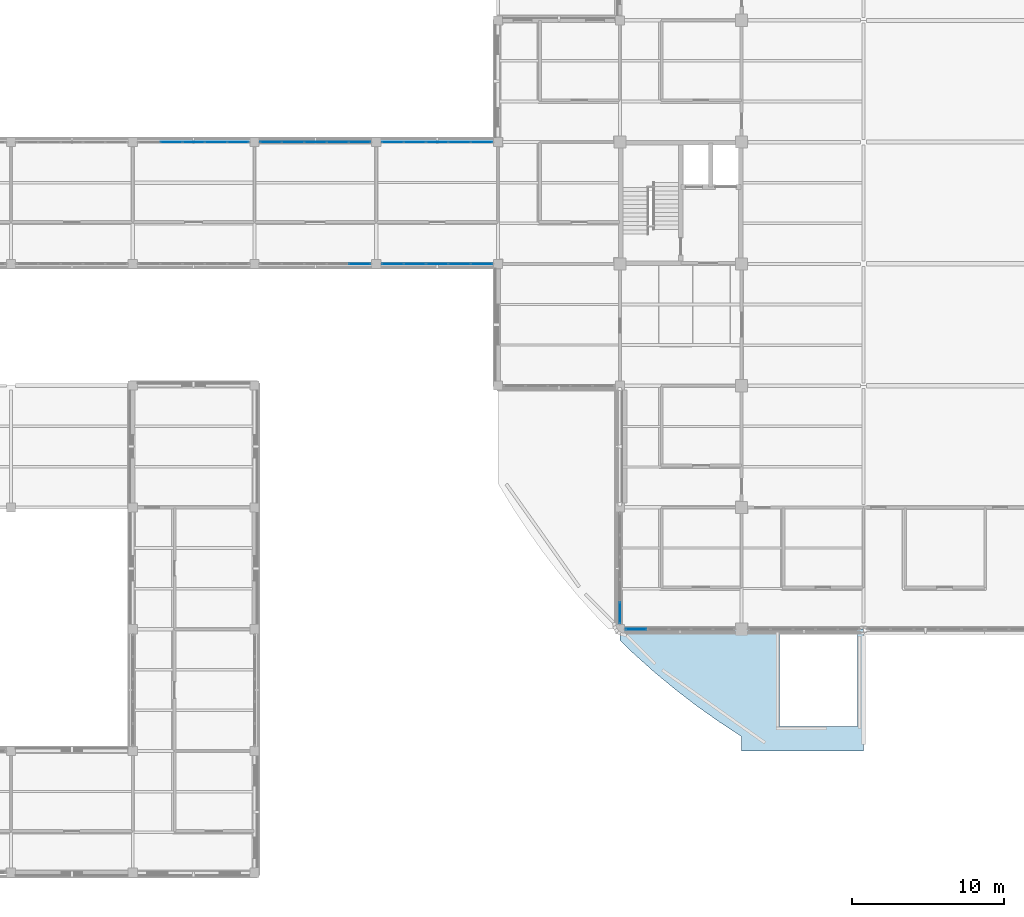
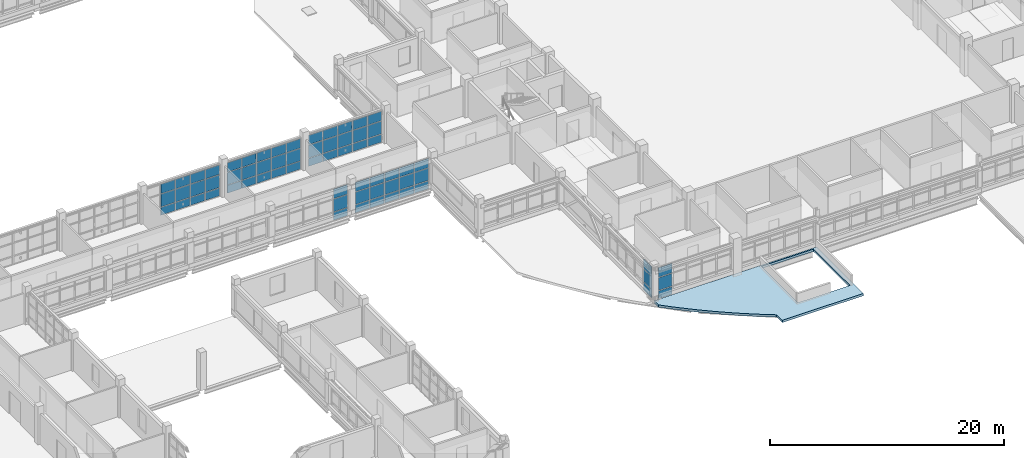
# One storey, part 69 of 126: 66 plates, 1 slab, 7 elements without a shape of their own.
"""IFC4 building model written with IfcOpenShell, lengths in metres."""

from ifc_helpers import new_model, si_unit, derived_unit, direction, frame, origin, origin_2d, place, context, subcontext, project, spatial, polyline, rectangle, outline, extrude, material, layer, layer_set, type_object, element, aggregate, save


model = new_model("IFC4")

# Units and contexts
model_context = context("Model", 3, precision=1e-05, world=origin(), true_north=direction((0.0, 1.0)))
body_context = subcontext(model_context, "Body", "Model", "MODEL_VIEW")
ifc_project = project(units=[si_unit("LENGTHUNIT", "METRE"), si_unit("AREAUNIT", "SQUARE_METRE"), si_unit("VOLUMEUNIT", "CUBIC_METRE"), si_unit("PLANEANGLEUNIT", "RADIAN"), si_unit("MASSUNIT", "GRAM", prefix="KILO"), derived_unit("THERMALTRANSMITTANCEUNIT", [(si_unit("MASSUNIT", "GRAM", prefix="KILO"), 1), (si_unit("TIMEUNIT", "SECOND"), -3), (si_unit("THERMODYNAMICTEMPERATUREUNIT", "KELVIN"), -1)])], contexts=[model_context])

# Site, building, storey
site_placement = place(None, origin())
site = spatial("IfcSite", under=ifc_project, at=site_placement, CompositionType="ELEMENT")
building_placement = place(site_placement, origin())
building = spatial("IfcBuilding", under=site, at=building_placement, Name="Veyamyaing Civic Hall", CompositionType="ELEMENT")
storey_placement = place(building_placement, frame((0.0, 0.0, 9.89990234375)))
storey = spatial("IfcBuildingStorey", under=building, at=storey_placement, Name="L02", CompositionType="ELEMENT", Elevation=9.89990234375)

# Curtain wall, plates
ifc_material_1 = material(Name="Anodised aluminium 6063-T6", Category="aluminium")
ifc_layer_1 = layer(ifc_material_1, 0.139892578125, Name="Anodised aluminium 6063-T6")
ifc_layer_set_1 = layer_set([ifc_layer_1], Name="Anodised aluminium 6063-T6")
curtain_wall_type_1 = type_object("IfcCurtainWallType", Name="CW-04", PredefinedType="NOTDEFINED", material=ifc_layer_set_1)
curtain_wall_1_placement = place(storey_placement, origin())
curtain_wall_1 = element("IfcCurtainWall", 1, at=curtain_wall_1_placement, inside=storey, type_object=curtain_wall_type_1, Name="Unitized curtain wall CW-04 L02 N 5.7", PredefinedType="NOTDEFINED")
ifc_material_2 = material(Name="Low-E insulated glass", Category="glass")
ifc_layer_2 = layer(ifc_material_2, 0.031982421875, Name="Low-E insulated glass")
ifc_layer_set_2 = layer_set([ifc_layer_2], Name="Low-E insulated glass")
plate_type_1 = type_object("IfcPlateType", Name="CWP-02", PredefinedType="CURTAIN_PANEL", material=ifc_layer_set_2)
plate_1_placement = place(storey_placement, frame((34.531982421875, 56.0, 0.06005859375), z_axis=(0.0, 0.0, 1.0), x_axis=(1.0, 0.0, 0.0)))
plate_1 = element("IfcPlate", 2, at=plate_1_placement, type_object=plate_type_1, Name="CW-04 panel 2.1", PredefinedType="CURTAIN_PANEL", context=body_context, shape_type="SweptSolid", body=[
    extrude(rectangle(XDim=1.407958984375, YDim=0.031982421875, at=origin_2d()), origin(), (0.0, 0.0, 1.0), 0.81005859375),
])
plate_2_placement = place(storey_placement, frame((34.531982421875, 56.0, 0.93017578125), z_axis=(0.0, 0.0, 1.0), x_axis=(1.0, 0.0, 0.0)))
plate_2 = element("IfcPlate", 3, at=plate_2_placement, type_object=plate_type_1, Name="CW-04 panel 2.2", PredefinedType="CURTAIN_PANEL", context=body_context, shape_type="SweptSolid", body=[
    extrude(rectangle(XDim=1.407958984375, YDim=0.031982421875, at=origin_2d()), origin(), (0.0, 0.0, 1.0), 1.31396484375),
])
plate_3_placement = place(storey_placement, frame((34.531982421875, 56.0, 2.303955078125), z_axis=(0.0, 0.0, 1.0), x_axis=(1.0, 0.0, 0.0)))
plate_3 = element("IfcPlate", 4, at=plate_3_placement, type_object=plate_type_1, Name="CW-04 panel 2.3", PredefinedType="CURTAIN_PANEL", context=body_context, shape_type="SweptSolid", body=[
    extrude(rectangle(XDim=1.407958984375, YDim=0.031982421875, at=origin_2d()), origin(), (0.0, 0.0, 1.0), 0.97998046875),
])
plate_4_placement = place(storey_placement, frame((36.0, 56.0, 0.06005859375), z_axis=(0.0, 0.0, 1.0), x_axis=(1.0, 0.0, 0.0)))
plate_4 = element("IfcPlate", 5, at=plate_4_placement, type_object=plate_type_1, Name="CW-04 panel 3.1", PredefinedType="CURTAIN_PANEL", context=body_context, shape_type="SweptSolid", body=[
    extrude(rectangle(XDim=1.407958984375, YDim=0.031982421875, at=origin_2d()), origin(), (0.0, 0.0, 1.0), 0.81005859375),
])
plate_5_placement = place(storey_placement, frame((36.0, 56.0, 0.93017578125), z_axis=(0.0, 0.0, 1.0), x_axis=(1.0, 0.0, 0.0)))
plate_5 = element("IfcPlate", 6, at=plate_5_placement, type_object=plate_type_1, Name="CW-04 panel 3.2", PredefinedType="CURTAIN_PANEL", context=body_context, shape_type="SweptSolid", body=[
    extrude(rectangle(XDim=1.407958984375, YDim=0.031982421875, at=origin_2d()), origin(), (0.0, 0.0, 1.0), 1.31396484375),
])
plate_6_placement = place(storey_placement, frame((36.0, 56.0, 2.303955078125), z_axis=(0.0, 0.0, 1.0), x_axis=(1.0, 0.0, 0.0)))
plate_6 = element("IfcPlate", 7, at=plate_6_placement, type_object=plate_type_1, Name="CW-04 panel 3.3", PredefinedType="CURTAIN_PANEL", context=body_context, shape_type="SweptSolid", body=[
    extrude(rectangle(XDim=1.407958984375, YDim=0.031982421875, at=origin_2d()), origin(), (0.0, 0.0, 1.0), 0.97998046875),
])
plate_7_placement = place(storey_placement, frame((37.468017578125, 56.0, 0.06005859375), z_axis=(0.0, 0.0, 1.0), x_axis=(1.0, 0.0, 0.0)))
plate_7 = element("IfcPlate", 8, at=plate_7_placement, type_object=plate_type_1, Name="CW-04 panel 4.1", PredefinedType="CURTAIN_PANEL", context=body_context, shape_type="SweptSolid", body=[
    extrude(rectangle(XDim=1.407958984375, YDim=0.031982421875, at=origin_2d()), origin(), (0.0, 0.0, 1.0), 0.81005859375),
])
plate_8_placement = place(storey_placement, frame((37.468017578125, 56.0, 0.93017578125), z_axis=(0.0, 0.0, 1.0), x_axis=(1.0, 0.0, 0.0)))
plate_8 = element("IfcPlate", 9, at=plate_8_placement, type_object=plate_type_1, Name="CW-04 panel 4.2", PredefinedType="CURTAIN_PANEL", context=body_context, shape_type="SweptSolid", body=[
    extrude(rectangle(XDim=1.407958984375, YDim=0.031982421875, at=origin_2d()), origin(), (0.0, 0.0, 1.0), 1.31396484375),
])
plate_9_placement = place(storey_placement, frame((37.468017578125, 56.0, 2.303955078125), z_axis=(0.0, 0.0, 1.0), x_axis=(1.0, 0.0, 0.0)))
plate_9 = element("IfcPlate", 10, at=plate_9_placement, type_object=plate_type_1, Name="CW-04 panel 4.3", PredefinedType="CURTAIN_PANEL", context=body_context, shape_type="SweptSolid", body=[
    extrude(rectangle(XDim=1.407958984375, YDim=0.031982421875, at=origin_2d()), origin(), (0.0, 0.0, 1.0), 0.97998046875),
])
plate_10_placement = place(storey_placement, frame((38.9208984375, 56.0, 0.06005859375), z_axis=(0.0, 0.0, 1.0), x_axis=(1.0, 0.0, 0.0)))
plate_10 = element("IfcPlate", 11, at=plate_10_placement, type_object=plate_type_1, Name="CW-04 panel 5.1", PredefinedType="CURTAIN_PANEL", context=body_context, shape_type="SweptSolid", body=[
    extrude(rectangle(XDim=1.3779296875, YDim=0.031982421875, at=origin_2d()), origin(), (0.0, 0.0, 1.0), 0.81005859375),
])
plate_11_placement = place(storey_placement, frame((38.9208984375, 56.0, 0.93017578125), z_axis=(0.0, 0.0, 1.0), x_axis=(1.0, 0.0, 0.0)))
plate_11 = element("IfcPlate", 12, at=plate_11_placement, type_object=plate_type_1, Name="CW-04 panel 5.2", PredefinedType="CURTAIN_PANEL", context=body_context, shape_type="SweptSolid", body=[
    extrude(rectangle(XDim=1.3779296875, YDim=0.031982421875, at=origin_2d()), origin(), (0.0, 0.0, 1.0), 1.31396484375),
])
plate_12_placement = place(storey_placement, frame((38.9208984375, 56.0, 2.303955078125), z_axis=(0.0, 0.0, 1.0), x_axis=(1.0, 0.0, 0.0)))
plate_12 = element("IfcPlate", 13, at=plate_12_placement, type_object=plate_type_1, Name="CW-04 panel 5.3", PredefinedType="CURTAIN_PANEL", context=body_context, shape_type="SweptSolid", body=[
    extrude(rectangle(XDim=1.3779296875, YDim=0.031982421875, at=origin_2d()), origin(), (0.0, 0.0, 1.0), 0.97998046875),
])
aggregate(curtain_wall_1, [plate_1, plate_2, plate_3, plate_4, plate_5, plate_6, plate_7, plate_8, plate_9, plate_10, plate_11, plate_12])

curtain_wall_2_placement = place(storey_placement, origin())
curtain_wall_2 = element("IfcCurtainWall", 14, at=curtain_wall_2_placement, inside=storey, type_object=curtain_wall_type_1, Name="Unitized curtain wall CW-04 L02 S 6.7", PredefinedType="NOTDEFINED")
ifc_layer_3 = layer(ifc_material_2, 0.035888671875, Name="Low-E insulated glass")
ifc_layer_set_3 = layer_set([ifc_layer_3], Name="Low-E insulated glass")
plate_type_2 = type_object("IfcPlateType", Name="CWP-03", PredefinedType="CURTAIN_PANEL", material=ifc_layer_set_3)
plate_13_placement = place(storey_placement, frame((46.9208984375, 48.0, 0.06005859375), z_axis=(0.0, 0.0, 1.0), x_axis=(1.0, 0.0, 0.0)))
plate_13 = element("IfcPlate", 15, at=plate_13_placement, type_object=plate_type_2, Name="CW-04 panel 5.1", PredefinedType="CURTAIN_PANEL", context=body_context, shape_type="SweptSolid", body=[
    extrude(rectangle(XDim=1.3779296875, YDim=0.035888671875, at=origin_2d()), origin(), (0.0, 0.0, 1.0), 0.81005859375),
])
plate_14_placement = place(storey_placement, frame((46.9208984375, 48.0, 0.93017578125), z_axis=(0.0, 0.0, 1.0), x_axis=(1.0, 0.0, 0.0)))
plate_14 = element("IfcPlate", 16, at=plate_14_placement, type_object=plate_type_2, Name="CW-04 panel 5.2", PredefinedType="CURTAIN_PANEL", context=body_context, shape_type="SweptSolid", body=[
    extrude(rectangle(XDim=1.3779296875, YDim=0.035888671875, at=origin_2d()), origin(), (0.0, 0.0, 1.0), 1.31396484375),
])
plate_15_placement = place(storey_placement, frame((46.9208984375, 48.0, 2.303955078125), z_axis=(0.0, 0.0, 1.0), x_axis=(1.0, 0.0, 0.0)))
plate_15 = element("IfcPlate", 17, at=plate_15_placement, type_object=plate_type_2, Name="CW-04 panel 5.3", PredefinedType="CURTAIN_PANEL", context=body_context, shape_type="SweptSolid", body=[
    extrude(rectangle(XDim=1.3779296875, YDim=0.035888671875, at=origin_2d()), origin(), (0.0, 0.0, 1.0), 0.97998046875),
])
aggregate(curtain_wall_2, [plate_13, plate_14, plate_15])

curtain_wall_3_placement = place(storey_placement, origin())
curtain_wall_3 = element("IfcCurtainWall", 18, at=curtain_wall_3_placement, inside=storey, type_object=curtain_wall_type_1, Name="Unitized curtain wall CW-04 L02 N 6.7", PredefinedType="NOTDEFINED")
plate_16_placement = place(storey_placement, frame((41.0791015625, 56.0, 0.06005859375), z_axis=(0.0, 0.0, 1.0), x_axis=(1.0, 0.0, 0.0)))
plate_16 = element("IfcPlate", 19, at=plate_16_placement, type_object=plate_type_2, Name="CW-04 panel 1.1", PredefinedType="CURTAIN_PANEL", context=body_context, shape_type="SweptSolid", body=[
    extrude(rectangle(XDim=1.3779296875, YDim=0.035888671875, at=origin_2d()), origin(), (0.0, 0.0, 1.0), 0.81005859375),
])
plate_17_placement = place(storey_placement, frame((41.0791015625, 56.0, 0.93017578125), z_axis=(0.0, 0.0, 1.0), x_axis=(1.0, 0.0, 0.0)))
plate_17 = element("IfcPlate", 20, at=plate_17_placement, type_object=plate_type_2, Name="CW-04 panel 1.2", PredefinedType="CURTAIN_PANEL", context=body_context, shape_type="SweptSolid", body=[
    extrude(rectangle(XDim=1.3779296875, YDim=0.035888671875, at=origin_2d()), origin(), (0.0, 0.0, 1.0), 1.273193359375),
])
plate_18_placement = place(storey_placement, frame((41.0791015625, 56.0, 2.26318359375), z_axis=(0.0, 0.0, 1.0), x_axis=(1.0, 0.0, 0.0)))
plate_18 = element("IfcPlate", 21, at=plate_18_placement, type_object=plate_type_2, Name="CW-04 panel 1.3", PredefinedType="CURTAIN_PANEL", context=body_context, shape_type="SweptSolid", body=[
    extrude(rectangle(XDim=1.3779296875, YDim=0.035888671875, at=origin_2d()), origin(), (0.0, 0.0, 1.0), 0.9609375),
])
plate_19_placement = place(storey_placement, frame((42.531982421875, 56.0, 0.06005859375), z_axis=(0.0, 0.0, 1.0), x_axis=(1.0, 0.0, 0.0)))
plate_19 = element("IfcPlate", 22, at=plate_19_placement, type_object=plate_type_2, Name="CW-04 panel 2.1", PredefinedType="CURTAIN_PANEL", context=body_context, shape_type="SweptSolid", body=[
    extrude(rectangle(XDim=1.407958984375, YDim=0.035888671875, at=origin_2d()), origin(), (0.0, 0.0, 1.0), 0.81005859375),
])
plate_20_placement = place(storey_placement, frame((42.531982421875, 56.0, 0.93017578125), z_axis=(0.0, 0.0, 1.0), x_axis=(1.0, 0.0, 0.0)))
plate_20 = element("IfcPlate", 23, at=plate_20_placement, type_object=plate_type_2, Name="CW-04 panel 2.2", PredefinedType="CURTAIN_PANEL", context=body_context, shape_type="SweptSolid", body=[
    extrude(rectangle(XDim=1.407958984375, YDim=0.035888671875, at=origin_2d()), origin(), (0.0, 0.0, 1.0), 1.273193359375),
])
plate_21_placement = place(storey_placement, frame((42.531982421875, 56.0, 2.26318359375), z_axis=(0.0, 0.0, 1.0), x_axis=(1.0, 0.0, 0.0)))
plate_21 = element("IfcPlate", 24, at=plate_21_placement, type_object=plate_type_2, Name="CW-04 panel 2.3", PredefinedType="CURTAIN_PANEL", context=body_context, shape_type="SweptSolid", body=[
    extrude(rectangle(XDim=1.407958984375, YDim=0.035888671875, at=origin_2d()), origin(), (0.0, 0.0, 1.0), 0.9609375),
])
plate_22_placement = place(storey_placement, frame((44.0, 56.0, 0.06005859375), z_axis=(0.0, 0.0, 1.0), x_axis=(1.0, 0.0, 0.0)))
plate_22 = element("IfcPlate", 25, at=plate_22_placement, type_object=plate_type_2, Name="CW-04 panel 3.1", PredefinedType="CURTAIN_PANEL", context=body_context, shape_type="SweptSolid", body=[
    extrude(rectangle(XDim=1.407958984375, YDim=0.035888671875, at=origin_2d()), origin(), (0.0, 0.0, 1.0), 0.81005859375),
])
plate_23_placement = place(storey_placement, frame((44.0, 56.0, 0.93017578125), z_axis=(0.0, 0.0, 1.0), x_axis=(1.0, 0.0, 0.0)))
plate_23 = element("IfcPlate", 26, at=plate_23_placement, type_object=plate_type_2, Name="CW-04 panel 3.2", PredefinedType="CURTAIN_PANEL", context=body_context, shape_type="SweptSolid", body=[
    extrude(rectangle(XDim=1.407958984375, YDim=0.035888671875, at=origin_2d()), origin(), (0.0, 0.0, 1.0), 1.273193359375),
])
plate_24_placement = place(storey_placement, frame((44.0, 56.0, 2.26318359375), z_axis=(0.0, 0.0, 1.0), x_axis=(1.0, 0.0, 0.0)))
plate_24 = element("IfcPlate", 27, at=plate_24_placement, type_object=plate_type_2, Name="CW-04 panel 3.3", PredefinedType="CURTAIN_PANEL", context=body_context, shape_type="SweptSolid", body=[
    extrude(rectangle(XDim=1.407958984375, YDim=0.035888671875, at=origin_2d()), origin(), (0.0, 0.0, 1.0), 0.9609375),
])
plate_25_placement = place(storey_placement, frame((45.468017578125, 56.0, 0.06005859375), z_axis=(0.0, 0.0, 1.0), x_axis=(1.0, 0.0, 0.0)))
plate_25 = element("IfcPlate", 28, at=plate_25_placement, type_object=plate_type_2, Name="CW-04 panel 4.1", PredefinedType="CURTAIN_PANEL", context=body_context, shape_type="SweptSolid", body=[
    extrude(rectangle(XDim=1.407958984375, YDim=0.035888671875, at=origin_2d()), origin(), (0.0, 0.0, 1.0), 0.81005859375),
])
plate_26_placement = place(storey_placement, frame((45.468017578125, 56.0, 0.93017578125), z_axis=(0.0, 0.0, 1.0), x_axis=(1.0, 0.0, 0.0)))
plate_26 = element("IfcPlate", 29, at=plate_26_placement, type_object=plate_type_2, Name="CW-04 panel 4.2", PredefinedType="CURTAIN_PANEL", context=body_context, shape_type="SweptSolid", body=[
    extrude(rectangle(XDim=1.407958984375, YDim=0.035888671875, at=origin_2d()), origin(), (0.0, 0.0, 1.0), 1.273193359375),
])
plate_27_placement = place(storey_placement, frame((45.468017578125, 56.0, 2.26318359375), z_axis=(0.0, 0.0, 1.0), x_axis=(1.0, 0.0, 0.0)))
plate_27 = element("IfcPlate", 30, at=plate_27_placement, type_object=plate_type_2, Name="CW-04 panel 4.3", PredefinedType="CURTAIN_PANEL", context=body_context, shape_type="SweptSolid", body=[
    extrude(rectangle(XDim=1.407958984375, YDim=0.035888671875, at=origin_2d()), origin(), (0.0, 0.0, 1.0), 0.9609375),
])
plate_28_placement = place(storey_placement, frame((46.9208984375, 56.0, 0.06005859375), z_axis=(0.0, 0.0, 1.0), x_axis=(1.0, 0.0, 0.0)))
plate_28 = element("IfcPlate", 31, at=plate_28_placement, type_object=plate_type_2, Name="CW-04 panel 5.1", PredefinedType="CURTAIN_PANEL", context=body_context, shape_type="SweptSolid", body=[
    extrude(rectangle(XDim=1.3779296875, YDim=0.035888671875, at=origin_2d()), origin(), (0.0, 0.0, 1.0), 0.81005859375),
])
plate_29_placement = place(storey_placement, frame((46.9208984375, 56.0, 0.93017578125), z_axis=(0.0, 0.0, 1.0), x_axis=(1.0, 0.0, 0.0)))
plate_29 = element("IfcPlate", 32, at=plate_29_placement, type_object=plate_type_2, Name="CW-04 panel 5.2", PredefinedType="CURTAIN_PANEL", context=body_context, shape_type="SweptSolid", body=[
    extrude(rectangle(XDim=1.3779296875, YDim=0.035888671875, at=origin_2d()), origin(), (0.0, 0.0, 1.0), 1.273193359375),
])
plate_30_placement = place(storey_placement, frame((46.9208984375, 56.0, 2.26318359375), z_axis=(0.0, 0.0, 1.0), x_axis=(1.0, 0.0, 0.0)))
plate_30 = element("IfcPlate", 33, at=plate_30_placement, type_object=plate_type_2, Name="CW-04 panel 5.3", PredefinedType="CURTAIN_PANEL", context=body_context, shape_type="SweptSolid", body=[
    extrude(rectangle(XDim=1.3779296875, YDim=0.035888671875, at=origin_2d()), origin(), (0.0, 0.0, 1.0), 0.9609375),
])
aggregate(curtain_wall_3, [plate_16, plate_17, plate_18, plate_19, plate_20, plate_21, plate_22, plate_23, plate_24, plate_25, plate_26, plate_27, plate_28, plate_29, plate_30])

ifc_layer_4 = layer(ifc_material_1, 0.159912109375, Name="Anodised aluminium 6063-T6")
ifc_layer_set_4 = layer_set([ifc_layer_4], Name="Anodised aluminium 6063-T6")
curtain_wall_type_2 = type_object("IfcCurtainWallType", Name="CW-03", PredefinedType="NOTDEFINED", material=ifc_layer_set_4)
curtain_wall_4_placement = place(storey_placement, origin())
curtain_wall_4 = element("IfcCurtainWall", 34, at=curtain_wall_4_placement, inside=storey, type_object=curtain_wall_type_2, Name="Unitized curtain wall CW-03 L02 S 9.4", PredefinedType="NOTDEFINED")
plate_31_placement = place(storey_placement, frame((65.0703125, 24.0, 0.06494140625), z_axis=(0.0, 0.0, 1.0), x_axis=(1.0, 0.0, 0.0)))
plate_31 = element("IfcPlate", 35, at=plate_31_placement, type_object=plate_type_2, Name="CW-03 panel 1.1", PredefinedType="CURTAIN_PANEL", context=body_context, shape_type="SweptSolid", body=[
    extrude(rectangle(XDim=1.3505859375, YDim=0.035888671875, at=origin_2d()), origin(), (0.0, 0.0, 1.0), 0.802490234375),
])
plate_32_placement = place(storey_placement, frame((65.0703125, 24.0, 0.9326171875), z_axis=(0.0, 0.0, 1.0), x_axis=(1.0, 0.0, 0.0)))
plate_32 = element("IfcPlate", 36, at=plate_32_placement, type_object=plate_type_2, Name="CW-03 panel 1.2", PredefinedType="CURTAIN_PANEL", context=body_context, shape_type="SweptSolid", body=[
    extrude(rectangle(XDim=1.3505859375, YDim=0.035888671875, at=origin_2d()), origin(), (0.0, 0.0, 1.0), 1.308837890625),
])
plate_33_placement = place(storey_placement, frame((65.0703125, 24.0, 2.306396484375), z_axis=(0.0, 0.0, 1.0), x_axis=(1.0, 0.0, 0.0)))
plate_33 = element("IfcPlate", 37, at=plate_33_placement, type_object=plate_type_2, Name="CW-03 panel 1.3", PredefinedType="CURTAIN_PANEL", context=body_context, shape_type="SweptSolid", body=[
    extrude(rectangle(XDim=1.3505859375, YDim=0.035888671875, at=origin_2d()), origin(), (0.0, 0.0, 1.0), 0.97265625),
])
aggregate(curtain_wall_4, [plate_31, plate_32, plate_33])

curtain_wall_5_placement = place(storey_placement, origin())
curtain_wall_5 = element("IfcCurtainWall", 38, at=curtain_wall_5_placement, inside=storey, type_object=curtain_wall_type_2, Name="Unitized curtain wall CW-03 L02 W 9.4", PredefinedType="NOTDEFINED")
plate_34_placement = place(storey_placement, frame((64.0, 25.080322265625, 0.06494140625), z_axis=(0.0, 0.0, 1.0), x_axis=(0.0, 1.0, 0.0)))
plate_34 = element("IfcPlate", 39, at=plate_34_placement, type_object=plate_type_2, Name="CW-03 panel 1.1", PredefinedType="CURTAIN_PANEL", context=body_context, shape_type="SweptSolid", body=[
    extrude(rectangle(XDim=1.37060546875, YDim=0.035888671875, at=origin_2d()), origin(), (0.0, 0.0, 1.0), 0.802490234375),
])
plate_35_placement = place(storey_placement, frame((64.0, 25.080322265625, 0.9326171875), z_axis=(0.0, 0.0, 1.0), x_axis=(0.0, 1.0, 0.0)))
plate_35 = element("IfcPlate", 40, at=plate_35_placement, type_object=plate_type_2, Name="CW-03 panel 1.2", PredefinedType="CURTAIN_PANEL", context=body_context, shape_type="SweptSolid", body=[
    extrude(rectangle(XDim=1.37060546875, YDim=0.035888671875, at=origin_2d()), origin(), (0.0, 0.0, 1.0), 1.308837890625),
])
plate_36_placement = place(storey_placement, frame((64.0, 25.080322265625, 2.306396484375), z_axis=(0.0, 0.0, 1.0), x_axis=(0.0, 1.0, 0.0)))
plate_36 = element("IfcPlate", 41, at=plate_36_placement, type_object=plate_type_2, Name="CW-03 panel 1.3", PredefinedType="CURTAIN_PANEL", context=body_context, shape_type="SweptSolid", body=[
    extrude(rectangle(XDim=1.37060546875, YDim=0.035888671875, at=origin_2d()), origin(), (0.0, 0.0, 1.0), 0.97265625),
])
aggregate(curtain_wall_5, [plate_34, plate_35, plate_36])

curtain_wall_6_placement = place(storey_placement, origin())
curtain_wall_6 = element("IfcCurtainWall", 42, at=curtain_wall_6_placement, inside=storey, type_object=curtain_wall_type_1, Name="Unitized curtain wall CW-04 L02 S 7.7", PredefinedType="NOTDEFINED")
ifc_layer_5 = layer(ifc_material_2, 0.02392578125, Name="Low-E insulated glass")
ifc_layer_set_5 = layer_set([ifc_layer_5], Name="Low-E insulated glass")
plate_type_3 = type_object("IfcPlateType", Name="CWP-04", PredefinedType="CURTAIN_PANEL", material=ifc_layer_set_5)
plate_37_placement = place(storey_placement, frame((49.0791015625, 48.0, 0.06005859375), z_axis=(0.0, 0.0, 1.0), x_axis=(1.0, 0.0, 0.0)))
plate_37 = element("IfcPlate", 43, at=plate_37_placement, type_object=plate_type_3, Name="CW-04 panel 1.1", PredefinedType="CURTAIN_PANEL", context=body_context, shape_type="SweptSolid", body=[
    extrude(rectangle(XDim=1.3779296875, YDim=0.02392578125, at=origin_2d()), origin(), (0.0, 0.0, 1.0), 0.81005859375),
])
plate_38_placement = place(storey_placement, frame((49.0791015625, 48.0, 0.93017578125), z_axis=(0.0, 0.0, 1.0), x_axis=(1.0, 0.0, 0.0)))
plate_38 = element("IfcPlate", 44, at=plate_38_placement, type_object=plate_type_3, Name="CW-04 panel 1.2", PredefinedType="CURTAIN_PANEL", context=body_context, shape_type="SweptSolid", body=[
    extrude(rectangle(XDim=1.3779296875, YDim=0.02392578125, at=origin_2d()), origin(), (0.0, 0.0, 1.0), 1.273193359375),
])
plate_39_placement = place(storey_placement, frame((49.0791015625, 48.0, 2.26318359375), z_axis=(0.0, 0.0, 1.0), x_axis=(1.0, 0.0, 0.0)))
plate_39 = element("IfcPlate", 45, at=plate_39_placement, type_object=plate_type_3, Name="CW-04 panel 1.3", PredefinedType="CURTAIN_PANEL", context=body_context, shape_type="SweptSolid", body=[
    extrude(rectangle(XDim=1.3779296875, YDim=0.02392578125, at=origin_2d()), origin(), (0.0, 0.0, 1.0), 0.9609375),
])
plate_40_placement = place(storey_placement, frame((50.531982421875, 48.0, 0.06005859375), z_axis=(0.0, 0.0, 1.0), x_axis=(1.0, 0.0, 0.0)))
plate_40 = element("IfcPlate", 46, at=plate_40_placement, type_object=plate_type_3, Name="CW-04 panel 2.1", PredefinedType="CURTAIN_PANEL", context=body_context, shape_type="SweptSolid", body=[
    extrude(rectangle(XDim=1.407958984375, YDim=0.02392578125, at=origin_2d()), origin(), (0.0, 0.0, 1.0), 0.81005859375),
])
plate_41_placement = place(storey_placement, frame((50.531982421875, 48.0, 0.93017578125), z_axis=(0.0, 0.0, 1.0), x_axis=(1.0, 0.0, 0.0)))
plate_41 = element("IfcPlate", 47, at=plate_41_placement, type_object=plate_type_3, Name="CW-04 panel 2.2", PredefinedType="CURTAIN_PANEL", context=body_context, shape_type="SweptSolid", body=[
    extrude(rectangle(XDim=1.407958984375, YDim=0.02392578125, at=origin_2d()), origin(), (0.0, 0.0, 1.0), 1.273193359375),
])
plate_42_placement = place(storey_placement, frame((50.531982421875, 48.0, 2.26318359375), z_axis=(0.0, 0.0, 1.0), x_axis=(1.0, 0.0, 0.0)))
plate_42 = element("IfcPlate", 48, at=plate_42_placement, type_object=plate_type_3, Name="CW-04 panel 2.3", PredefinedType="CURTAIN_PANEL", context=body_context, shape_type="SweptSolid", body=[
    extrude(rectangle(XDim=1.407958984375, YDim=0.02392578125, at=origin_2d()), origin(), (0.0, 0.0, 1.0), 0.9609375),
])
plate_43_placement = place(storey_placement, frame((52.0, 48.0, 0.06005859375), z_axis=(0.0, 0.0, 1.0), x_axis=(1.0, 0.0, 0.0)))
plate_43 = element("IfcPlate", 49, at=plate_43_placement, type_object=plate_type_3, Name="CW-04 panel 3.1", PredefinedType="CURTAIN_PANEL", context=body_context, shape_type="SweptSolid", body=[
    extrude(rectangle(XDim=1.407958984375, YDim=0.02392578125, at=origin_2d()), origin(), (0.0, 0.0, 1.0), 0.81005859375),
])
plate_44_placement = place(storey_placement, frame((52.0, 48.0, 0.93017578125), z_axis=(0.0, 0.0, 1.0), x_axis=(1.0, 0.0, 0.0)))
plate_44 = element("IfcPlate", 50, at=plate_44_placement, type_object=plate_type_3, Name="CW-04 panel 3.2", PredefinedType="CURTAIN_PANEL", context=body_context, shape_type="SweptSolid", body=[
    extrude(rectangle(XDim=1.407958984375, YDim=0.02392578125, at=origin_2d()), origin(), (0.0, 0.0, 1.0), 1.273193359375),
])
plate_45_placement = place(storey_placement, frame((52.0, 48.0, 2.26318359375), z_axis=(0.0, 0.0, 1.0), x_axis=(1.0, 0.0, 0.0)))
plate_45 = element("IfcPlate", 51, at=plate_45_placement, type_object=plate_type_3, Name="CW-04 panel 3.3", PredefinedType="CURTAIN_PANEL", context=body_context, shape_type="SweptSolid", body=[
    extrude(rectangle(XDim=1.407958984375, YDim=0.02392578125, at=origin_2d()), origin(), (0.0, 0.0, 1.0), 0.9609375),
])
plate_46_placement = place(storey_placement, frame((53.468017578125, 48.0, 0.06005859375), z_axis=(0.0, 0.0, 1.0), x_axis=(1.0, 0.0, 0.0)))
plate_46 = element("IfcPlate", 52, at=plate_46_placement, type_object=plate_type_3, Name="CW-04 panel 4.1", PredefinedType="CURTAIN_PANEL", context=body_context, shape_type="SweptSolid", body=[
    extrude(rectangle(XDim=1.407958984375, YDim=0.02392578125, at=origin_2d()), origin(), (0.0, 0.0, 1.0), 0.81005859375),
])
plate_47_placement = place(storey_placement, frame((53.468017578125, 48.0, 0.93017578125), z_axis=(0.0, 0.0, 1.0), x_axis=(1.0, 0.0, 0.0)))
plate_47 = element("IfcPlate", 53, at=plate_47_placement, type_object=plate_type_3, Name="CW-04 panel 4.2", PredefinedType="CURTAIN_PANEL", context=body_context, shape_type="SweptSolid", body=[
    extrude(rectangle(XDim=1.407958984375, YDim=0.02392578125, at=origin_2d()), origin(), (0.0, 0.0, 1.0), 1.273193359375),
])
plate_48_placement = place(storey_placement, frame((53.468017578125, 48.0, 2.26318359375), z_axis=(0.0, 0.0, 1.0), x_axis=(1.0, 0.0, 0.0)))
plate_48 = element("IfcPlate", 54, at=plate_48_placement, type_object=plate_type_3, Name="CW-04 panel 4.3", PredefinedType="CURTAIN_PANEL", context=body_context, shape_type="SweptSolid", body=[
    extrude(rectangle(XDim=1.407958984375, YDim=0.02392578125, at=origin_2d()), origin(), (0.0, 0.0, 1.0), 0.9609375),
])
plate_49_placement = place(storey_placement, frame((54.9208984375, 48.0, 0.06005859375), z_axis=(0.0, 0.0, 1.0), x_axis=(1.0, 0.0, 0.0)))
plate_49 = element("IfcPlate", 55, at=plate_49_placement, type_object=plate_type_3, Name="CW-04 panel 5.1", PredefinedType="CURTAIN_PANEL", context=body_context, shape_type="SweptSolid", body=[
    extrude(rectangle(XDim=1.3779296875, YDim=0.02392578125, at=origin_2d()), origin(), (0.0, 0.0, 1.0), 0.81005859375),
])
plate_50_placement = place(storey_placement, frame((54.9208984375, 48.0, 0.93017578125), z_axis=(0.0, 0.0, 1.0), x_axis=(1.0, 0.0, 0.0)))
plate_50 = element("IfcPlate", 56, at=plate_50_placement, type_object=plate_type_3, Name="CW-04 panel 5.2", PredefinedType="CURTAIN_PANEL", context=body_context, shape_type="SweptSolid", body=[
    extrude(rectangle(XDim=1.3779296875, YDim=0.02392578125, at=origin_2d()), origin(), (0.0, 0.0, 1.0), 1.273193359375),
])
plate_51_placement = place(storey_placement, frame((54.9208984375, 48.0, 2.26318359375), z_axis=(0.0, 0.0, 1.0), x_axis=(1.0, 0.0, 0.0)))
plate_51 = element("IfcPlate", 57, at=plate_51_placement, type_object=plate_type_3, Name="CW-04 panel 5.3", PredefinedType="CURTAIN_PANEL", context=body_context, shape_type="SweptSolid", body=[
    extrude(rectangle(XDim=1.3779296875, YDim=0.02392578125, at=origin_2d()), origin(), (0.0, 0.0, 1.0), 0.9609375),
])
aggregate(curtain_wall_6, [plate_37, plate_38, plate_39, plate_40, plate_41, plate_42, plate_43, plate_44, plate_45, plate_46, plate_47, plate_48, plate_49, plate_50, plate_51])

curtain_wall_7_placement = place(storey_placement, origin())
curtain_wall_7 = element("IfcCurtainWall", 58, at=curtain_wall_7_placement, inside=storey, type_object=curtain_wall_type_1, Name="Unitized curtain wall CW-04 L02 N 7.7", PredefinedType="NOTDEFINED")
plate_52_placement = place(storey_placement, frame((49.0791015625, 56.0, 0.06005859375), z_axis=(0.0, 0.0, 1.0), x_axis=(1.0, 0.0, 0.0)))
plate_52 = element("IfcPlate", 59, at=plate_52_placement, type_object=plate_type_3, Name="CW-04 panel 1.1", PredefinedType="CURTAIN_PANEL", context=body_context, shape_type="SweptSolid", body=[
    extrude(rectangle(XDim=1.3779296875, YDim=0.02392578125, at=origin_2d()), origin(), (0.0, 0.0, 1.0), 0.81005859375),
])
plate_53_placement = place(storey_placement, frame((49.0791015625, 56.0, 0.93017578125), z_axis=(0.0, 0.0, 1.0), x_axis=(1.0, 0.0, 0.0)))
plate_53 = element("IfcPlate", 60, at=plate_53_placement, type_object=plate_type_3, Name="CW-04 panel 1.2", PredefinedType="CURTAIN_PANEL", context=body_context, shape_type="SweptSolid", body=[
    extrude(rectangle(XDim=1.3779296875, YDim=0.02392578125, at=origin_2d()), origin(), (0.0, 0.0, 1.0), 1.31591796875),
])
plate_54_placement = place(storey_placement, frame((49.0791015625, 56.0, 2.30615234375), z_axis=(0.0, 0.0, 1.0), x_axis=(1.0, 0.0, 0.0)))
plate_54 = element("IfcPlate", 61, at=plate_54_placement, type_object=plate_type_3, Name="CW-04 panel 1.3", PredefinedType="CURTAIN_PANEL", context=body_context, shape_type="SweptSolid", body=[
    extrude(rectangle(XDim=1.3779296875, YDim=0.02392578125, at=origin_2d()), origin(), (0.0, 0.0, 1.0), 0.98095703125),
])
plate_55_placement = place(storey_placement, frame((50.531982421875, 56.0, 0.06005859375), z_axis=(0.0, 0.0, 1.0), x_axis=(1.0, 0.0, 0.0)))
plate_55 = element("IfcPlate", 62, at=plate_55_placement, type_object=plate_type_3, Name="CW-04 panel 2.1", PredefinedType="CURTAIN_PANEL", context=body_context, shape_type="SweptSolid", body=[
    extrude(rectangle(XDim=1.407958984375, YDim=0.02392578125, at=origin_2d()), origin(), (0.0, 0.0, 1.0), 0.81005859375),
])
plate_56_placement = place(storey_placement, frame((50.531982421875, 56.0, 0.93017578125), z_axis=(0.0, 0.0, 1.0), x_axis=(1.0, 0.0, 0.0)))
plate_56 = element("IfcPlate", 63, at=plate_56_placement, type_object=plate_type_3, Name="CW-04 panel 2.2", PredefinedType="CURTAIN_PANEL", context=body_context, shape_type="SweptSolid", body=[
    extrude(rectangle(XDim=1.407958984375, YDim=0.02392578125, at=origin_2d()), origin(), (0.0, 0.0, 1.0), 1.31591796875),
])
plate_57_placement = place(storey_placement, frame((50.531982421875, 56.0, 2.30615234375), z_axis=(0.0, 0.0, 1.0), x_axis=(1.0, 0.0, 0.0)))
plate_57 = element("IfcPlate", 64, at=plate_57_placement, type_object=plate_type_3, Name="CW-04 panel 2.3", PredefinedType="CURTAIN_PANEL", context=body_context, shape_type="SweptSolid", body=[
    extrude(rectangle(XDim=1.407958984375, YDim=0.02392578125, at=origin_2d()), origin(), (0.0, 0.0, 1.0), 0.98095703125),
])
plate_58_placement = place(storey_placement, frame((52.0, 56.0, 0.06005859375), z_axis=(0.0, 0.0, 1.0), x_axis=(1.0, 0.0, 0.0)))
plate_58 = element("IfcPlate", 65, at=plate_58_placement, type_object=plate_type_3, Name="CW-04 panel 3.1", PredefinedType="CURTAIN_PANEL", context=body_context, shape_type="SweptSolid", body=[
    extrude(rectangle(XDim=1.407958984375, YDim=0.02392578125, at=origin_2d()), origin(), (0.0, 0.0, 1.0), 0.81005859375),
])
plate_59_placement = place(storey_placement, frame((52.0, 56.0, 0.93017578125), z_axis=(0.0, 0.0, 1.0), x_axis=(1.0, 0.0, 0.0)))
plate_59 = element("IfcPlate", 66, at=plate_59_placement, type_object=plate_type_3, Name="CW-04 panel 3.2", PredefinedType="CURTAIN_PANEL", context=body_context, shape_type="SweptSolid", body=[
    extrude(rectangle(XDim=1.407958984375, YDim=0.02392578125, at=origin_2d()), origin(), (0.0, 0.0, 1.0), 1.31591796875),
])
plate_60_placement = place(storey_placement, frame((52.0, 56.0, 2.30615234375), z_axis=(0.0, 0.0, 1.0), x_axis=(1.0, 0.0, 0.0)))
plate_60 = element("IfcPlate", 67, at=plate_60_placement, type_object=plate_type_3, Name="CW-04 panel 3.3", PredefinedType="CURTAIN_PANEL", context=body_context, shape_type="SweptSolid", body=[
    extrude(rectangle(XDim=1.407958984375, YDim=0.02392578125, at=origin_2d()), origin(), (0.0, 0.0, 1.0), 0.98095703125),
])
plate_61_placement = place(storey_placement, frame((53.468017578125, 56.0, 0.06005859375), z_axis=(0.0, 0.0, 1.0), x_axis=(1.0, 0.0, 0.0)))
plate_61 = element("IfcPlate", 68, at=plate_61_placement, type_object=plate_type_3, Name="CW-04 panel 4.1", PredefinedType="CURTAIN_PANEL", context=body_context, shape_type="SweptSolid", body=[
    extrude(rectangle(XDim=1.407958984375, YDim=0.02392578125, at=origin_2d()), origin(), (0.0, 0.0, 1.0), 0.81005859375),
])
plate_62_placement = place(storey_placement, frame((53.468017578125, 56.0, 0.93017578125), z_axis=(0.0, 0.0, 1.0), x_axis=(1.0, 0.0, 0.0)))
plate_62 = element("IfcPlate", 69, at=plate_62_placement, type_object=plate_type_3, Name="CW-04 panel 4.2", PredefinedType="CURTAIN_PANEL", context=body_context, shape_type="SweptSolid", body=[
    extrude(rectangle(XDim=1.407958984375, YDim=0.02392578125, at=origin_2d()), origin(), (0.0, 0.0, 1.0), 1.31591796875),
])
plate_63_placement = place(storey_placement, frame((53.468017578125, 56.0, 2.30615234375), z_axis=(0.0, 0.0, 1.0), x_axis=(1.0, 0.0, 0.0)))
plate_63 = element("IfcPlate", 70, at=plate_63_placement, type_object=plate_type_3, Name="CW-04 panel 4.3", PredefinedType="CURTAIN_PANEL", context=body_context, shape_type="SweptSolid", body=[
    extrude(rectangle(XDim=1.407958984375, YDim=0.02392578125, at=origin_2d()), origin(), (0.0, 0.0, 1.0), 0.98095703125),
])
plate_64_placement = place(storey_placement, frame((54.9208984375, 56.0, 0.06005859375), z_axis=(0.0, 0.0, 1.0), x_axis=(1.0, 0.0, 0.0)))
plate_64 = element("IfcPlate", 71, at=plate_64_placement, type_object=plate_type_3, Name="CW-04 panel 5.1", PredefinedType="CURTAIN_PANEL", context=body_context, shape_type="SweptSolid", body=[
    extrude(rectangle(XDim=1.3779296875, YDim=0.02392578125, at=origin_2d()), origin(), (0.0, 0.0, 1.0), 0.81005859375),
])
plate_65_placement = place(storey_placement, frame((54.9208984375, 56.0, 0.93017578125), z_axis=(0.0, 0.0, 1.0), x_axis=(1.0, 0.0, 0.0)))
plate_65 = element("IfcPlate", 72, at=plate_65_placement, type_object=plate_type_3, Name="CW-04 panel 5.2", PredefinedType="CURTAIN_PANEL", context=body_context, shape_type="SweptSolid", body=[
    extrude(rectangle(XDim=1.3779296875, YDim=0.02392578125, at=origin_2d()), origin(), (0.0, 0.0, 1.0), 1.31591796875),
])
plate_66_placement = place(storey_placement, frame((54.9208984375, 56.0, 2.30615234375), z_axis=(0.0, 0.0, 1.0), x_axis=(1.0, 0.0, 0.0)))
plate_66 = element("IfcPlate", 73, at=plate_66_placement, type_object=plate_type_3, Name="CW-04 panel 5.3", PredefinedType="CURTAIN_PANEL", context=body_context, shape_type="SweptSolid", body=[
    extrude(rectangle(XDim=1.3779296875, YDim=0.02392578125, at=origin_2d()), origin(), (0.0, 0.0, 1.0), 0.98095703125),
])
aggregate(curtain_wall_7, [plate_52, plate_53, plate_54, plate_55, plate_56, plate_57, plate_58, plate_59, plate_60, plate_61, plate_62, plate_63, plate_64, plate_65, plate_66])

# Slab
ifc_material_3 = material(Name="Concrete C40/50", Category="concrete")
ifc_layer_6 = layer(ifc_material_3, 0.239990234375, Name="Concrete C40/50")
ifc_layer_set_6 = layer_set([ifc_layer_6], Name="Concrete C40/50")
slab_type = type_object("IfcSlabType", Name="SL-15", PredefinedType="ROOF", material=ifc_layer_set_6)
slab_placement = place(storey_placement, frame((0.0, 0.0, -0.239990234375)))
element("IfcSlab", 74, at=slab_placement, inside=storey, type_object=slab_type, Name="Roof slab SL-15 L02 V1S.1", PredefinedType="ROOF", context=body_context, shape_type="SweptSolid", body=[
    extrude(outline(polyline([(80.0, 16.0), (72.0, 16.0), (72.0, 16.947265625), (70.52978515625, 17.909912109375), (69.06591796875, 18.948486328125), (67.6416015625, 20.041259765625), (66.259521484375, 21.1865234375), (64.9208984375, 22.3828125), (64.0, 23.269775390625), (64.0, 24.0), (80.0, 24.0), (80.0, 16.0)]), holes=[polyline([(79.60009765625, 23.85009765625), (74.47998046875, 23.85009765625), (74.47998046875, 17.60400390625), (79.60009765625, 17.60400390625), (79.60009765625, 23.85009765625)])]), origin(), (0.0, 0.0, 1.0), 0.239990234375),
])

save(model, "model.ifc")
